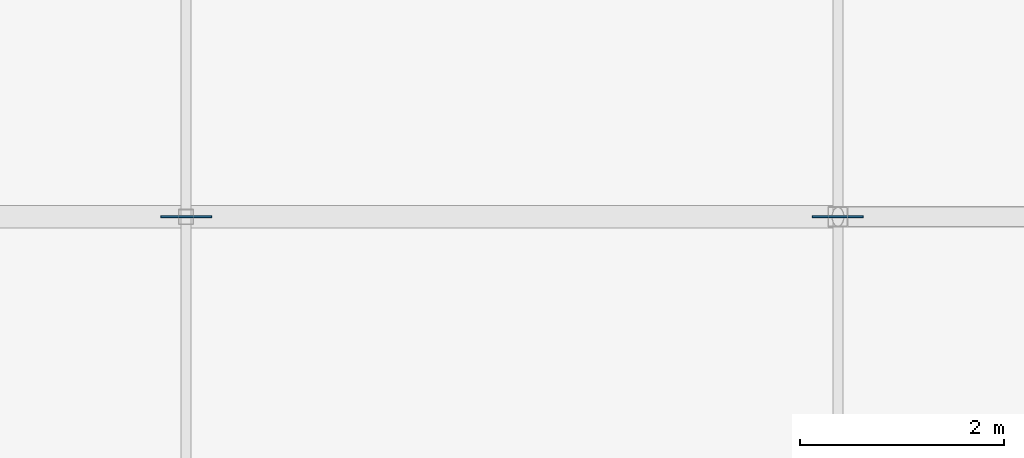
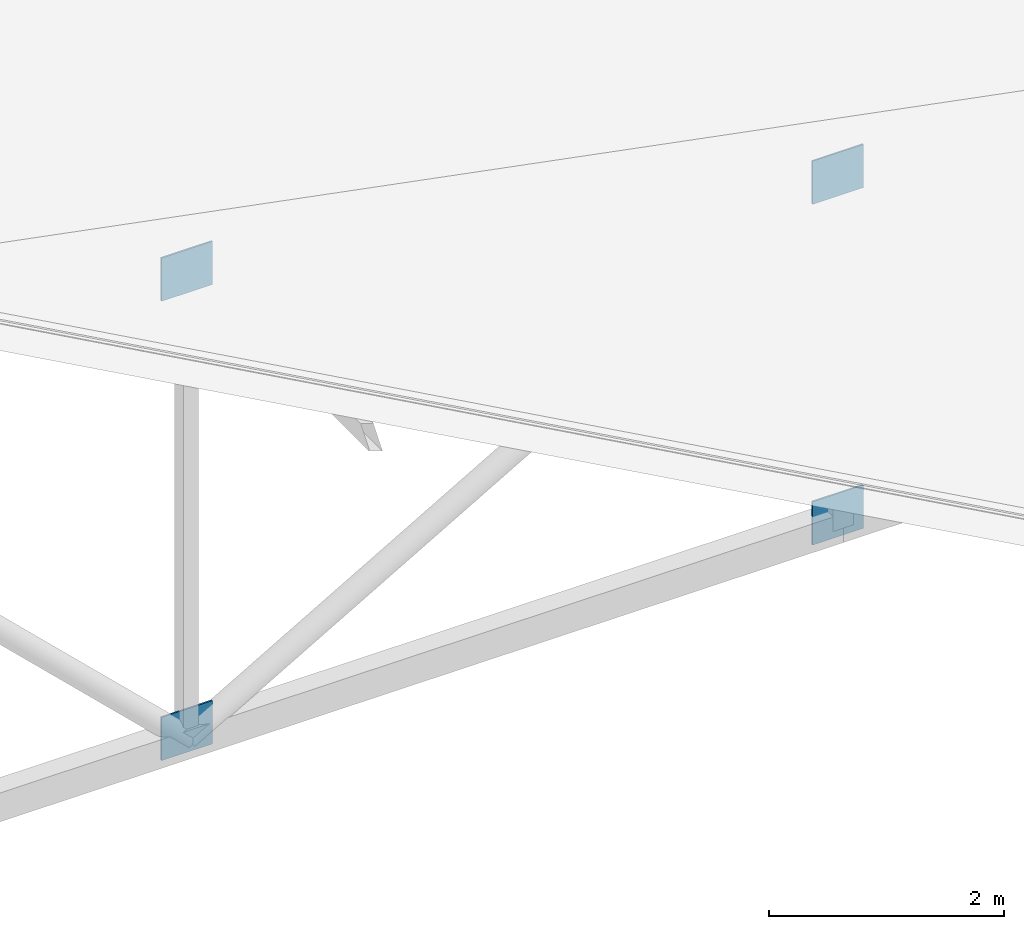
# One storey, part 154 of 200: 4 plates.
"""IFC4 building model written with IfcOpenShell, lengths in metres."""

from ifc_helpers import new_model, si_unit, direction, frame, origin, origin_2d, place, context, subcontext, project, spatial, rectangle, extrude, material, layer, layer_set, type_object, element, save


model = new_model("IFC4")

# Units and contexts
model_context = context("Model", 3, precision=1e-05, world=origin(), true_north=direction((0.0, 1.0)))
body_context = subcontext(model_context, "Body", "Model", "MODEL_VIEW")
ifc_project = project(units=[si_unit("LENGTHUNIT", "METRE"), si_unit("AREAUNIT", "SQUARE_METRE"), si_unit("VOLUMEUNIT", "CUBIC_METRE"), si_unit("PLANEANGLEUNIT", "RADIAN"), si_unit("MASSUNIT", "GRAM", prefix="KILO")], contexts=[model_context])

# Site, building, storey
site_placement = place(None, origin())
site = spatial("IfcSite", under=ifc_project, at=site_placement, CompositionType="ELEMENT")
building_placement = place(site_placement, origin())
building = spatial("IfcBuilding", under=site, at=building_placement, Name="Vondelvale Polytechnic", CompositionType="ELEMENT")
storey_placement = place(building_placement, frame((0.0, 0.0, 13.800048828125)))
storey = spatial("IfcBuildingStorey", under=building, at=storey_placement, Name="L03", CompositionType="ELEMENT", Elevation=13.800048828125)

# Plates
ifc_material = material(Name="Steel Grade 350 (fy = 340 MPa)", Category="steel")
ifc_layer = layer(ifc_material, 0.01611328125)
ifc_layer_set = layer_set([ifc_layer], Name="PLATE-GUSSET-16")
plate_type = type_object("IfcPlateType", Name="PLATE-GUSSET-16", PredefinedType="USERDEFINED", material=ifc_layer_set)
for number, where, z_axis, x_axis, name in (
    (1, (22.39990234375, 71.39990234375, 4.20849609375), (0.0, 0.0, 1.0), (1.0, 0.0, 0.0), "ROOF TRUSS top chord gusset node plate 4"),
    (2, (22.39990234375, 71.39990234375, -0.56494140625), (0.0, 0.0, 1.0), (1.0, 0.0, 0.0), "ROOF TRUSS bottom chord gusset node plate 4"),
    (3, (28.800048828125, 71.39990234375, 2.97509765625), (0.0, 0.0, 1.0), (1.0, 0.0, 0.0), "ROOF TRUSS top chord gusset node plate 5"),
    (4, (28.800048828125, 71.39990234375, -0.56494140625), (0.0, 0.0, 1.0), (1.0, 0.0, 0.0), "ROOF TRUSS bottom chord gusset node plate 5"),
):
    element("IfcPlate", number, at=place(storey_placement, frame(where, z_axis=z_axis, x_axis=x_axis)), inside=storey, type_object=plate_type, Name=name, ObjectType="GUSSET_PLATE", PredefinedType="USERDEFINED", context=body_context, shape_type="SweptSolid", body=[
        extrude(rectangle(XDim=0.5, YDim=0.01611328125, at=origin_2d()), origin(), (0.0, 0.0, 1.0), 0.449951171875),
    ])

save(model, "model.ifc")
